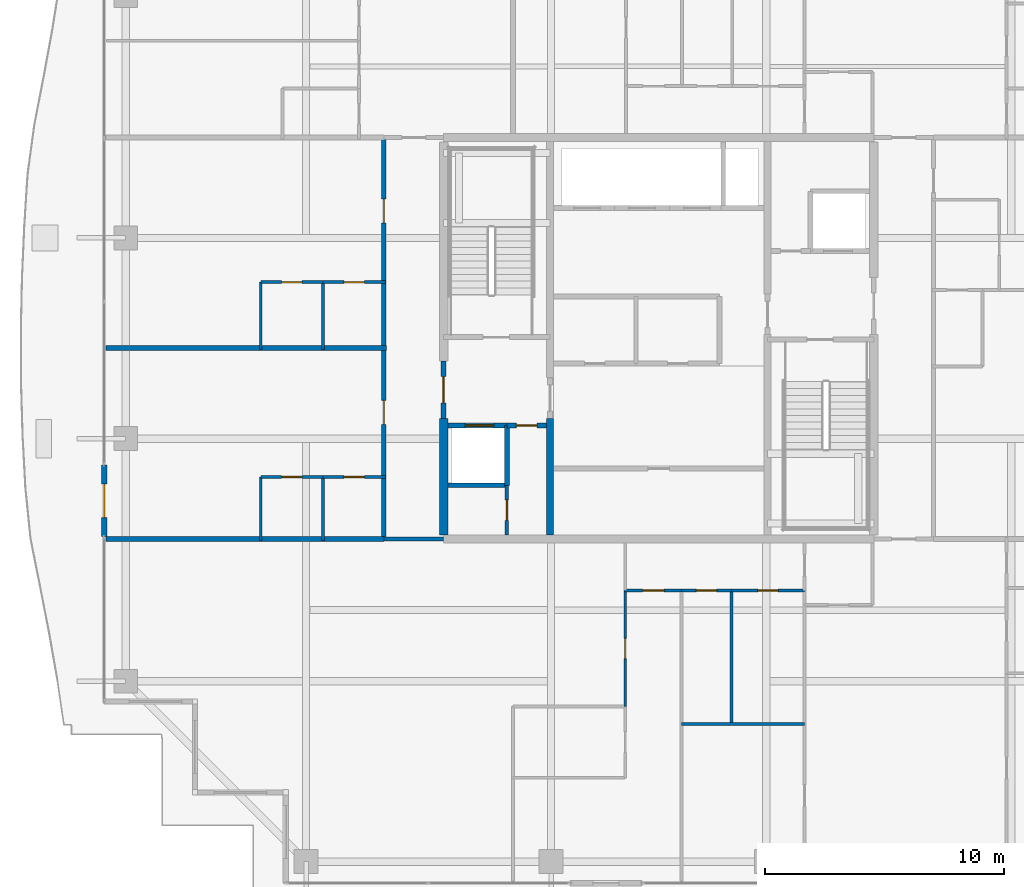
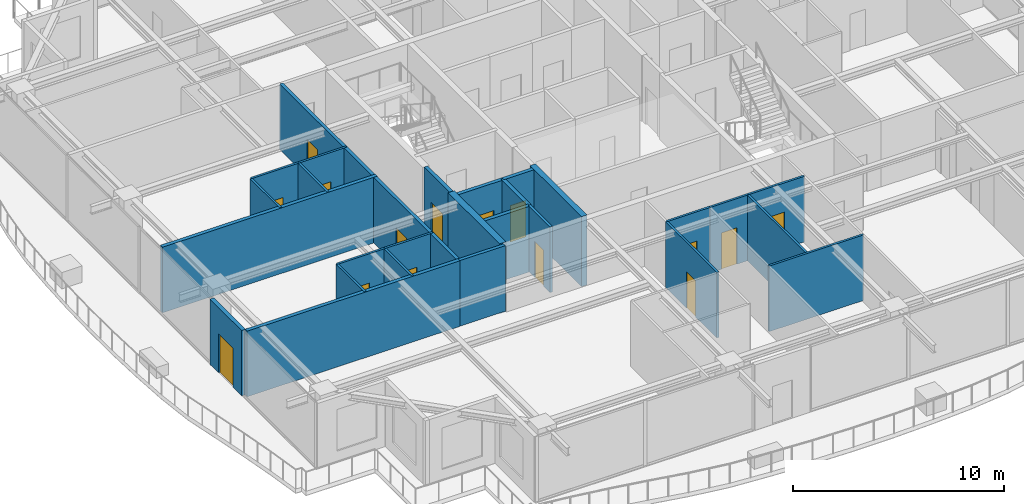
# One storey, part 26 of 37: 27 walls, 15 doors, 15 openings.
"""IFC4 building model written with IfcOpenShell, lengths in metres."""

from ifc_helpers import new_model, si_unit, direction, frame, frame_2d, origin, place, context, subcontext, project, spatial, rectangle, extrude, source, transform, mapped, material, layer, layer_set, type_object, element, fill, save


model = new_model("IFC4")

# Units and contexts
model_context = context("Model", 3, precision=1e-05, world=origin(), true_north=direction((0.0, 1.0)))
body_context = subcontext(model_context, "Body", "Model", "MODEL_VIEW")
ifc_project = project(units=[si_unit("LENGTHUNIT", "METRE"), si_unit("AREAUNIT", "SQUARE_METRE"), si_unit("VOLUMEUNIT", "CUBIC_METRE"), si_unit("PLANEANGLEUNIT", "RADIAN"), si_unit("MASSUNIT", "GRAM", prefix="KILO")], contexts=[model_context])

# Site, building, storey
site_placement = place(None, origin())
site = spatial("IfcSite", under=ifc_project, at=site_placement, CompositionType="ELEMENT")
building_placement = place(site_placement, origin())
building = spatial("IfcBuilding", under=site, at=building_placement, Name="Serunith Strait Residences", CompositionType="ELEMENT")
storey_placement = place(building_placement, frame((0.0, 0.0, 305.60009765625)))
storey = spatial("IfcBuildingStorey", under=building, at=storey_placement, Name="L76", CompositionType="ELEMENT", Elevation=305.60009765625)

# Wall, opening, door
ifc_material_1 = material(Name="Pale-Champagne Aluminium Insulated Panel", Category="aluminium")
ifc_layer_1 = layer(ifc_material_1, 0.219970703125, Name="Pale-Champagne Aluminium Insulated Panel")
ifc_layer_set_1 = layer_set([ifc_layer_1], Name="Pale-Champagne Aluminium Insulated Panel")
wall_type_1 = type_object("IfcWallType", Name="EW-ALUM-220", PredefinedType="ELEMENTEDWALL", material=ifc_layer_set_1)
wall_1_placement = place(storey_placement, frame((9.199951171875, 19.89990234375, 0.0), z_axis=(0.0, 0.0, 1.0), x_axis=(0.0, -1.0, 0.0)))
wall_1 = element("IfcWall", 1, at=wall_1_placement, inside=storey, type_object=wall_type_1, Name="L76 W Facade Pier Wall", PredefinedType="ELEMENTEDWALL", context=body_context, shape_type="SweptSolid", body=[
    extrude(rectangle(XDim=3.0, YDim=0.219970703125, at=frame_2d((1.5, 0.0))), origin(), (0.0, 0.0, 1.0), 3.77490234375),
])
opening_1_placement = place(wall_1_placement, frame((0.800048828125, 0.0, 0.0)))
opening_1 = element("IfcOpeningElement", 2, at=opening_1_placement, cuts=wall_1, Name="Opening ED-04", PredefinedType="OPENING", context=body_context, shape_type="SweptSolid", body=[
    extrude(rectangle(XDim=1.39990234375, YDim=2.25, at=frame_2d((0.699951171875, 1.125))), frame((0.0, 0.1201171875, 0.0), z_axis=(0.0, -1.0, 0.0), x_axis=(1.0, 0.0, 0.0)), (0.0, 0.0, 1.0), 0.239990234375),
])
ifc_material_2 = material(Name="Thermally-Broken Aluminium Sliding Balcony Door", Category="aluminium")
door_type_1 = type_object("IfcDoorType", Name="ED-BALC-1400", OperationType="NOTDEFINED", PredefinedType="DOOR", material=ifc_material_2)
shared_shape_1 = source(origin(), body_context, "Body", "SweptSolid", [
    extrude(rectangle(XDim=1.39990234375, YDim=2.25, at=frame_2d((0.699951171875, 1.125))), frame((0.0, 0.02490234375, 0.0), z_axis=(0.0, -1.0, 0.0), x_axis=(1.0, 0.0, 0.0)), (0.0, 0.0, 1.0), 0.050048828125),
])
door_1_placement = place(opening_1_placement, origin())
door_1 = element("IfcDoor", 3, at=door_1_placement, inside=storey, type_object=door_type_1, Name="L76 W Vertical-Forest Balcony Door", OperationType="SLIDING_TO_LEFT", OverallHeight=2.25, OverallWidth=1.39990234375, PredefinedType="DOOR", context=body_context, shape_type="MappedRepresentation", body=[
    mapped(shared_shape_1, transform((0.0, 0.0, 0.0), scale=1.0)),
])
fill(opening_1, door_1)

ifc_material_3 = material(Name="Fire-rated masonry service closet wall", Category="masonry")
ifc_layer_2 = layer(ifc_material_3, 0.14990234375, Name="Fire-rated masonry service closet wall")
ifc_layer_set_2 = layer_set([ifc_layer_2], Name="Fire-rated masonry service closet wall")
wall_type_2 = type_object("IfcWallType", Name="IW-BOH-150", PredefinedType="PARTITIONING", material=ifc_layer_set_2)
wall_2_placement = place(storey_placement, frame((26.050048828125, 16.97509765625, 0.0), z_axis=(0.0, 0.0, 1.0), x_axis=(0.0, 1.0, 0.0)))
wall_2 = element("IfcWall", 4, at=wall_2_placement, inside=storey, type_object=wall_type_2, Name="L76 Partition Wall 011", PredefinedType="PARTITIONING", context=body_context, shape_type="SweptSolid", body=[
    extrude(rectangle(XDim=2.072998046875, YDim=0.14990234375, at=frame_2d((1.03662109375, 0.0))), origin(), (0.0, 0.0, 1.0), 3.789794921875),
])
opening_2_placement = place(wall_2_placement, frame((0.611083984375, 0.0, 0.0)))
opening_2 = element("IfcOpeningElement", 5, at=opening_2_placement, cuts=wall_2, Name="Opening FD-850", PredefinedType="OPENING", context=body_context, shape_type="SweptSolid", body=[
    extrude(rectangle(XDim=0.85009765625, YDim=2.10009765625, at=frame_2d((0.425048828125, 1.050048828125))), frame((0.0, 0.0849609375, 0.0), z_axis=(0.0, -1.0, 0.0), x_axis=(1.0, 0.0, 0.0)), (0.0, 0.0, 1.0), 0.169921875),
])
ifc_material_4 = material(Name="Powder-coated steel service closet door", Category="steel")
door_type_2 = type_object("IfcDoorType", Name="FD-BOH-850", OperationType="NOTDEFINED", PredefinedType="DOOR", material=ifc_material_4)
shared_shape_2 = source(origin(), body_context, "Body", "SweptSolid", [
    extrude(rectangle(XDim=0.85009765625, YDim=2.10009765625, at=frame_2d((0.425048828125, 1.050048828125))), frame((0.0, 0.02490234375, 0.0), z_axis=(0.0, -1.0, 0.0), x_axis=(1.0, 0.0, 0.0)), (0.0, 0.0, 1.0), 0.050048828125),
])
door_2_placement = place(opening_2_placement, origin())
door_2 = element("IfcDoor", 6, at=door_2_placement, inside=storey, type_object=door_type_2, Name="L76 Cleaner Store Door", OperationType="SINGLE_SWING_RIGHT", OverallHeight=2.10009765625, OverallWidth=0.85009765625, PredefinedType="DOOR", context=body_context, shape_type="MappedRepresentation", body=[
    mapped(shared_shape_2, transform((0.0, 0.0, 0.0), scale=1.0)),
])
fill(opening_2, door_2)

# Wall
ifc_material_5 = material(Name="Fire-rated acoustic gypsum partition")
ifc_layer_3 = layer(ifc_material_5, 0.179931640625, Name="Fire-rated acoustic gypsum partition")
ifc_layer_set_3 = layer_set([ifc_layer_3], Name="Fire-rated acoustic gypsum partition")
wall_type_3 = type_object("IfcWallType", Name="IW-CORR-180", PredefinedType="PARTITIONING", material=ifc_layer_set_3)
wall_3_placement = place(storey_placement, frame((20.902099609375, 16.800048828125, 0.0), z_axis=(0.0, 0.0, 1.0), x_axis=(1.0, 0.0, 0.0)))
element("IfcWall", 7, at=wall_3_placement, inside=storey, type_object=wall_type_3, Name="L76 Partition Wall 024", PredefinedType="PARTITIONING", context=body_context, shape_type="SweptSolid", body=[
    extrude(rectangle(XDim=2.495849609375, YDim=0.179931640625, at=frame_2d((1.248046875, 0.0))), origin(), (0.0, 0.0, 1.0), 3.789794921875),
])

# Wall, openings, doors
wall_4_placement = place(storey_placement, frame((20.89990234375, 16.800048828125, 0.0), z_axis=(0.0, 0.0, 1.0), x_axis=(0.0, 1.0, 0.0)))
wall_4 = element("IfcWall", 8, at=wall_4_placement, inside=storey, type_object=wall_type_3, Name="L76 Partition Wall 026", PredefinedType="PARTITIONING", context=body_context, shape_type="SweptSolid", body=[
    extrude(rectangle(XDim=16.800048828125, YDim=0.179931640625, at=frame_2d((8.39990234375, 0.0))), origin(), (0.0, 0.0, 1.0), 3.789794921875),
])
opening_3_placement = place(wall_4_placement, frame((4.802978515625, 0.0, 0.0)))
opening_3 = element("IfcOpeningElement", 9, at=opening_3_placement, cuts=wall_4, Name="Opening D-APT1000", PredefinedType="OPENING", context=body_context, shape_type="SweptSolid", body=[
    extrude(rectangle(XDim=1.0, YDim=2.14990234375, at=frame_2d((0.5, 1.074951171875))), frame((0.0, 0.10009765625, 0.0), z_axis=(0.0, -1.0, 0.0), x_axis=(1.0, 0.0, 0.0)), (0.0, 0.0, 1.0), 0.199951171875),
])
opening_4_placement = place(wall_4_placement, frame((13.22509765625, 0.0, 0.0)))
opening_4 = element("IfcOpeningElement", 10, at=opening_4_placement, cuts=wall_4, Name="Opening D-APT1000", PredefinedType="OPENING", context=body_context, shape_type="SweptSolid", body=[
    extrude(rectangle(XDim=1.0, YDim=2.14990234375, at=frame_2d((0.5, 1.074951171875))), frame((0.0, 0.10009765625, 0.0), z_axis=(0.0, -1.0, 0.0), x_axis=(1.0, 0.0, 0.0)), (0.0, 0.0, 1.0), 0.199951171875),
])
ifc_material_6 = material(Name="Solid timber engineered fire door", Category="wood")
door_type_3 = type_object("IfcDoorType", Name="ID-APT-1000", OperationType="NOTDEFINED", PredefinedType="DOOR", material=ifc_material_6)
shared_shape_3 = source(origin(), body_context, "Body", "SweptSolid", [
    extrude(rectangle(XDim=1.0, YDim=2.14990234375, at=frame_2d((0.5, 1.074951171875))), frame((0.0, 0.02490234375, 0.0), z_axis=(0.0, -1.0, 0.0), x_axis=(1.0, 0.0, 0.0)), (0.0, 0.0, 1.0), 0.050048828125),
])
door_3_placement = place(opening_3_placement, origin())
door_3 = element("IfcDoor", 11, at=door_3_placement, inside=storey, type_object=door_type_3, Name="L76 Unit 04 Entrance Door", OperationType="SINGLE_SWING_LEFT", OverallHeight=2.14990234375, OverallWidth=1.0, PredefinedType="DOOR", context=body_context, shape_type="MappedRepresentation", body=[
    mapped(shared_shape_3, transform((0.0, 0.0, 0.0), scale=1.0)),
])
fill(opening_3, door_3)
door_4_placement = place(opening_4_placement, origin())
door_4 = element("IfcDoor", 12, at=door_4_placement, inside=storey, type_object=door_type_3, Name="L76 Unit 05 Entrance Door", OperationType="SINGLE_SWING_RIGHT", OverallHeight=2.14990234375, OverallWidth=1.0, PredefinedType="DOOR", context=body_context, shape_type="MappedRepresentation", body=[
    mapped(shared_shape_3, transform((0.0, 0.0, 0.0), scale=1.0)),
])
fill(opening_4, door_4)

# Walls
ifc_material_7 = material(Name="Lightweight steel-stud gypsum partition", Category="steel")
ifc_layer_4 = layer(ifc_material_7, 0.1201171875, Name="Lightweight steel-stud gypsum partition")
ifc_layer_set_4 = layer_set([ifc_layer_4], Name="Lightweight steel-stud gypsum partition")
wall_type_4 = type_object("IfcWallType", Name="IW-PART-120", PredefinedType="PARTITIONING", material=ifc_layer_set_4)
wall_5_placement = place(storey_placement, frame((33.35009765625, 9.06298828125, 0.0), z_axis=(0.0, 0.0, 1.0), x_axis=(1.0, 0.0, 0.0)))
element("IfcWall", 13, at=wall_5_placement, inside=storey, type_object=wall_type_4, Name="L76 Partition Wall 035", PredefinedType="PARTITIONING", context=body_context, shape_type="SweptSolid", body=[
    extrude(rectangle(XDim=5.14990234375, YDim=0.1201171875, at=frame_2d((2.574951171875, 0.0))), origin(), (0.0, 0.0, 1.0), 3.789794921875),
])
wall_6_placement = place(storey_placement, frame((35.449951171875, 9.06298828125, 0.0), z_axis=(0.0, 0.0, 1.0), x_axis=(0.0, 1.0, 0.0)))
element("IfcWall", 14, at=wall_6_placement, inside=storey, type_object=wall_type_4, Name="L76 Partition Wall 037", PredefinedType="PARTITIONING", context=body_context, shape_type="SweptSolid", body=[
    extrude(rectangle(XDim=5.5869140625, YDim=0.1201171875, at=frame_2d((2.79345703125, 0.0))), origin(), (0.0, 0.0, 1.0), 3.789794921875),
])

# Wall, opening, door
wall_7_placement = place(storey_placement, frame((33.35009765625, 14.64990234375, 0.0), z_axis=(0.0, 0.0, 1.0), x_axis=(1.0, 0.0, 0.0)))
wall_7 = element("IfcWall", 15, at=wall_7_placement, inside=storey, type_object=wall_type_4, Name="L76 Partition Wall 038", PredefinedType="PARTITIONING", context=body_context, shape_type="SweptSolid", body=[
    extrude(rectangle(XDim=2.099853515625, YDim=0.1201171875, at=frame_2d((1.0498046875, 0.0))), origin(), (0.0, 0.0, 1.0), 3.789794921875),
])
opening_5_placement = place(wall_7_placement, frame((0.625, 0.0, 0.0)))
opening_5 = element("IfcOpeningElement", 16, at=opening_5_placement, cuts=wall_7, Name="Opening D-BTH850", PredefinedType="OPENING", context=body_context, shape_type="SweptSolid", body=[
    extrude(rectangle(XDim=0.85009765625, YDim=2.10009765625, at=frame_2d((0.425048828125, 1.050048828125))), frame((0.0, 0.070068359375, 0.0), z_axis=(0.0, -1.0, 0.0), x_axis=(1.0, 0.0, 0.0)), (0.0, 0.0, 1.0), 0.14013671875),
])
ifc_material_8 = material(Name="Moisture-resistant timber bathroom door", Category="wood")
door_type_4 = type_object("IfcDoorType", Name="ID-BATH-850", OperationType="NOTDEFINED", PredefinedType="DOOR", material=ifc_material_8)
door_5_placement = place(opening_5_placement, origin())
door_5 = element("IfcDoor", 17, at=door_5_placement, inside=storey, type_object=door_type_4, Name="L76 Bathroom 7601 Door", OperationType="SINGLE_SWING_LEFT", OverallHeight=2.10009765625, OverallWidth=0.85009765625, PredefinedType="DOOR", context=body_context, shape_type="MappedRepresentation", body=[
    mapped(shared_shape_2, transform((0.0, 0.0, 0.0), scale=1.0)),
])
fill(opening_5, door_5)

wall_8_placement = place(storey_placement, frame((35.451904296875, 14.64990234375, 0.0), z_axis=(0.0, 0.0, 1.0), x_axis=(1.0, 0.0, 0.0)))
wall_8 = element("IfcWall", 18, at=wall_8_placement, inside=storey, type_object=wall_type_4, Name="L76 Partition Wall 039", PredefinedType="PARTITIONING", context=body_context, shape_type="SweptSolid", body=[
    extrude(rectangle(XDim=3.048095703125, YDim=0.1201171875, at=frame_2d((1.52392578125, 0.0))), origin(), (0.0, 0.0, 1.0), 3.789794921875),
])
opening_6_placement = place(wall_8_placement, frame((1.09912109375, 0.0, 0.0)))
opening_6 = element("IfcOpeningElement", 19, at=opening_6_placement, cuts=wall_8, Name="Opening D-RM850", PredefinedType="OPENING", context=body_context, shape_type="SweptSolid", body=[
    extrude(rectangle(XDim=0.85009765625, YDim=2.10009765625, at=frame_2d((0.425048828125, 1.050048828125))), frame((0.0, 0.070068359375, 0.0), z_axis=(0.0, -1.0, 0.0), x_axis=(1.0, 0.0, 0.0)), (0.0, 0.0, 1.0), 0.14013671875),
])
ifc_material_9 = material(Name="Engineered timber flush study and kitchen door", Category="wood")
door_type_5 = type_object("IfcDoorType", Name="ID-ROOM-850", OperationType="NOTDEFINED", PredefinedType="DOOR", material=ifc_material_9)
door_6_placement = place(opening_6_placement, origin())
door_6 = element("IfcDoor", 20, at=door_6_placement, inside=storey, type_object=door_type_5, Name="L76 Formal Dining Room 7601 Door", OperationType="SINGLE_SWING_RIGHT", OverallHeight=2.10009765625, OverallWidth=0.85009765625, PredefinedType="DOOR", context=body_context, shape_type="MappedRepresentation", body=[
    mapped(shared_shape_2, transform((0.0, 0.0, 0.0), scale=1.0)),
])
fill(opening_6, door_6)

wall_9_placement = place(storey_placement, frame((31.0, 14.64990234375, 0.0), z_axis=(0.0, 0.0, 1.0), x_axis=(1.0, 0.0, 0.0)))
wall_9 = element("IfcWall", 21, at=wall_9_placement, inside=storey, type_object=wall_type_4, Name="L76 Partition Wall 040", PredefinedType="PARTITIONING", context=body_context, shape_type="SweptSolid", body=[
    extrude(rectangle(XDim=2.347900390625, YDim=0.1201171875, at=frame_2d((1.173828125, 0.0))), origin(), (0.0, 0.0, 1.0), 3.789794921875),
])
opening_7_placement = place(wall_9_placement, frame((0.72412109375, 0.0, 0.0)))
opening_7 = element("IfcOpeningElement", 22, at=opening_7_placement, cuts=wall_9, Name="Opening D-RM900", PredefinedType="OPENING", context=body_context, shape_type="SweptSolid", body=[
    extrude(rectangle(XDim=0.89990234375, YDim=2.10009765625, at=frame_2d((0.449951171875, 1.050048828125))), frame((0.0, 0.070068359375, 0.0), z_axis=(0.0, -1.0, 0.0), x_axis=(1.0, 0.0, 0.0)), (0.0, 0.0, 1.0), 0.14013671875),
])
ifc_material_10 = material(Name="Engineered timber flush bedroom door", Category="wood")
door_type_6 = type_object("IfcDoorType", Name="ID-ROOM-900", OperationType="NOTDEFINED", PredefinedType="DOOR", material=ifc_material_10)
shared_shape_4 = source(origin(), body_context, "Body", "SweptSolid", [
    extrude(rectangle(XDim=0.89990234375, YDim=2.10009765625, at=frame_2d((0.449951171875, 1.050048828125))), frame((0.0, 0.02490234375, 0.0), z_axis=(0.0, -1.0, 0.0), x_axis=(1.0, 0.0, 0.0)), (0.0, 0.0, 1.0), 0.050048828125),
])
door_7_placement = place(opening_7_placement, origin())
door_7 = element("IfcDoor", 23, at=door_7_placement, inside=storey, type_object=door_type_6, Name="L76 Master Bedroom W 7601 Door", OperationType="SINGLE_SWING_LEFT", OverallHeight=2.10009765625, OverallWidth=0.89990234375, PredefinedType="DOOR", context=body_context, shape_type="MappedRepresentation", body=[
    mapped(shared_shape_4, transform((0.0, 0.0, 0.0), scale=1.0)),
])
fill(opening_7, door_7)

wall_10_placement = place(storey_placement, frame((31.0, 9.79296875, 0.0), z_axis=(0.0, 0.0, 1.0), x_axis=(0.0, 1.0, 0.0)))
wall_10 = element("IfcWall", 24, at=wall_10_placement, inside=storey, type_object=wall_type_4, Name="L76 Partition Wall 045", PredefinedType="PARTITIONING", context=body_context, shape_type="SweptSolid", body=[
    extrude(rectangle(XDim=4.85693359375, YDim=0.1201171875, at=frame_2d((2.428466796875, 0.0))), origin(), (0.0, 0.0, 1.0), 3.789794921875),
])
opening_8_placement = place(wall_10_placement, frame((2.00390625, 0.0, 0.0)))
opening_8 = element("IfcOpeningElement", 25, at=opening_8_placement, cuts=wall_10, Name="Opening D-RM850", PredefinedType="OPENING", context=body_context, shape_type="SweptSolid", body=[
    extrude(rectangle(XDim=0.85009765625, YDim=2.10009765625, at=frame_2d((0.425048828125, 1.050048828125))), frame((0.0, 0.070068359375, 0.0), z_axis=(0.0, -1.0, 0.0), x_axis=(1.0, 0.0, 0.0)), (0.0, 0.0, 1.0), 0.14013671875),
])
door_8_placement = place(opening_8_placement, origin())
door_8 = element("IfcDoor", 26, at=door_8_placement, inside=storey, type_object=door_type_5, Name="L76 Wardrobe W 7601 Door", OperationType="SINGLE_SWING_LEFT", OverallHeight=2.10009765625, OverallWidth=0.85009765625, PredefinedType="DOOR", context=body_context, shape_type="MappedRepresentation", body=[
    mapped(shared_shape_2, transform((0.0, 0.0, 0.0), scale=1.0)),
])
fill(opening_8, door_8)

wall_11_placement = place(storey_placement, frame((15.75, 19.39990234375, 0.0), z_axis=(0.0, 0.0, 1.0), x_axis=(1.0, 0.0, 0.0)))
wall_11 = element("IfcWall", 27, at=wall_11_placement, inside=storey, type_object=wall_type_4, Name="L76 Partition Wall 081", PredefinedType="PARTITIONING", context=body_context, shape_type="SweptSolid", body=[
    extrude(rectangle(XDim=2.60009765625, YDim=0.1201171875, at=frame_2d((1.300048828125, 0.0))), origin(), (0.0, 0.0, 1.0), 3.789794921875),
])
opening_9_placement = place(wall_11_placement, frame((0.875, 0.0, 0.0)))
opening_9 = element("IfcOpeningElement", 28, at=opening_9_placement, cuts=wall_11, Name="Opening D-RM850", PredefinedType="OPENING", context=body_context, shape_type="SweptSolid", body=[
    extrude(rectangle(XDim=0.85009765625, YDim=2.10009765625, at=frame_2d((0.425048828125, 1.050048828125))), frame((0.0, 0.070068359375, 0.0), z_axis=(0.0, -1.0, 0.0), x_axis=(1.0, 0.0, 0.0)), (0.0, 0.0, 1.0), 0.14013671875),
])
door_9_placement = place(opening_9_placement, origin())
door_9 = element("IfcDoor", 29, at=door_9_placement, inside=storey, type_object=door_type_5, Name="L76 Kitchen 7604 Door", OperationType="SINGLE_SWING_RIGHT", OverallHeight=2.10009765625, OverallWidth=0.85009765625, PredefinedType="DOOR", context=body_context, shape_type="MappedRepresentation", body=[
    mapped(shared_shape_2, transform((0.0, 0.0, 0.0), scale=1.0)),
])
fill(opening_9, door_9)

wall_12_placement = place(storey_placement, frame((18.35205078125, 19.39990234375, 0.0), z_axis=(0.0, 0.0, 1.0), x_axis=(1.0, 0.0, 0.0)))
wall_12 = element("IfcWall", 30, at=wall_12_placement, inside=storey, type_object=wall_type_4, Name="L76 Partition Wall 082", PredefinedType="PARTITIONING", context=body_context, shape_type="SweptSolid", body=[
    extrude(rectangle(XDim=2.60791015625, YDim=0.1201171875, at=frame_2d((1.303955078125, 0.0))), origin(), (0.0, 0.0, 1.0), 3.789794921875),
])
opening_10_placement = place(wall_12_placement, frame((0.87890625, 0.0, 0.0)))
opening_10 = element("IfcOpeningElement", 31, at=opening_10_placement, cuts=wall_12, Name="Opening D-BTH850", PredefinedType="OPENING", context=body_context, shape_type="SweptSolid", body=[
    extrude(rectangle(XDim=0.85009765625, YDim=2.10009765625, at=frame_2d((0.425048828125, 1.050048828125))), frame((0.0, 0.070068359375, 0.0), z_axis=(0.0, -1.0, 0.0), x_axis=(1.0, 0.0, 0.0)), (0.0, 0.0, 1.0), 0.14013671875),
])
door_10_placement = place(opening_10_placement, origin())
door_10 = element("IfcDoor", 32, at=door_10_placement, inside=storey, type_object=door_type_4, Name="L76 Bathroom 7604 Door", OperationType="SINGLE_SWING_LEFT", OverallHeight=2.10009765625, OverallWidth=0.85009765625, PredefinedType="DOOR", context=body_context, shape_type="MappedRepresentation", body=[
    mapped(shared_shape_2, transform((0.0, 0.0, 0.0), scale=1.0)),
])
fill(opening_10, door_10)

# Walls
for number, where, z_axis, x_axis, name in (
    (33, (18.35009765625, 16.739990234375, 0.0), (0.0, 0.0, 1.0), (0.0, 1.0, 0.0), "L76 Partition Wall 083"),
    (34, (15.75, 16.739990234375, 0.0), (0.0, 0.0, 1.0), (0.0, 1.0, 0.0), "L76 Partition Wall 084"),
):
    element("IfcWall", number, at=place(storey_placement, frame(where, z_axis=z_axis, x_axis=x_axis)), inside=storey, type_object=wall_type_4, Name=name, PredefinedType="PARTITIONING", context=body_context, shape_type="SweptSolid", body=[
        extrude(rectangle(XDim=2.659912109375, YDim=0.1201171875, at=frame_2d((1.330078125, 0.0))), origin(), (0.0, 0.0, 1.0), 3.789794921875),
    ])

# Wall, opening, door
wall_13_placement = place(storey_placement, frame((15.75, 27.550048828125, 0.0), z_axis=(0.0, 0.0, 1.0), x_axis=(1.0, 0.0, 0.0)))
wall_13 = element("IfcWall", 35, at=wall_13_placement, inside=storey, type_object=wall_type_4, Name="L76 Partition Wall 085", PredefinedType="PARTITIONING", context=body_context, shape_type="SweptSolid", body=[
    extrude(rectangle(XDim=2.60009765625, YDim=0.1201171875, at=frame_2d((1.300048828125, 0.0))), origin(), (0.0, 0.0, 1.0), 3.789794921875),
])
opening_11_placement = place(wall_13_placement, frame((0.875, 0.0, 0.0)))
opening_11 = element("IfcOpeningElement", 36, at=opening_11_placement, cuts=wall_13, Name="Opening D-RM850", PredefinedType="OPENING", context=body_context, shape_type="SweptSolid", body=[
    extrude(rectangle(XDim=0.85009765625, YDim=2.10009765625, at=frame_2d((0.425048828125, 1.050048828125))), frame((0.0, 0.070068359375, 0.0), z_axis=(0.0, -1.0, 0.0), x_axis=(1.0, 0.0, 0.0)), (0.0, 0.0, 1.0), 0.14013671875),
])
door_11_placement = place(opening_11_placement, origin())
door_11 = element("IfcDoor", 37, at=door_11_placement, inside=storey, type_object=door_type_5, Name="L76 Kitchen 7605 Door", OperationType="SINGLE_SWING_RIGHT", OverallHeight=2.10009765625, OverallWidth=0.85009765625, PredefinedType="DOOR", context=body_context, shape_type="MappedRepresentation", body=[
    mapped(shared_shape_2, transform((0.0, 0.0, 0.0), scale=1.0)),
])
fill(opening_11, door_11)

wall_14_placement = place(storey_placement, frame((18.35205078125, 27.550048828125, 0.0), z_axis=(0.0, 0.0, 1.0), x_axis=(1.0, 0.0, 0.0)))
wall_14 = element("IfcWall", 38, at=wall_14_placement, inside=storey, type_object=wall_type_4, Name="L76 Partition Wall 086", PredefinedType="PARTITIONING", context=body_context, shape_type="SweptSolid", body=[
    extrude(rectangle(XDim=2.60791015625, YDim=0.1201171875, at=frame_2d((1.303955078125, 0.0))), origin(), (0.0, 0.0, 1.0), 3.789794921875),
])
opening_12_placement = place(wall_14_placement, frame((0.87890625, 0.0, 0.0)))
opening_12 = element("IfcOpeningElement", 39, at=opening_12_placement, cuts=wall_14, Name="Opening D-BTH850", PredefinedType="OPENING", context=body_context, shape_type="SweptSolid", body=[
    extrude(rectangle(XDim=0.85009765625, YDim=2.10009765625, at=frame_2d((0.425048828125, 1.050048828125))), frame((0.0, 0.070068359375, 0.0), z_axis=(0.0, -1.0, 0.0), x_axis=(1.0, 0.0, 0.0)), (0.0, 0.0, 1.0), 0.14013671875),
])
door_12_placement = place(opening_12_placement, origin())
door_12 = element("IfcDoor", 40, at=door_12_placement, inside=storey, type_object=door_type_4, Name="L76 Bathroom 7605 Door", OperationType="SINGLE_SWING_LEFT", OverallHeight=2.10009765625, OverallWidth=0.85009765625, PredefinedType="DOOR", context=body_context, shape_type="MappedRepresentation", body=[
    mapped(shared_shape_2, transform((0.0, 0.0, 0.0), scale=1.0)),
])
fill(opening_12, door_12)

# Walls
for number, where, z_axis, x_axis, name in (
    (41, (18.35009765625, 24.739990234375, 0.0), (0.0, 0.0, 1.0), (0.0, 1.0, 0.0), "L76 Partition Wall 087"),
    (42, (15.75, 24.739990234375, 0.0), (0.0, 0.0, 1.0), (0.0, 1.0, 0.0), "L76 Partition Wall 088"),
):
    element("IfcWall", number, at=place(storey_placement, frame(where, z_axis=z_axis, x_axis=x_axis)), inside=storey, type_object=wall_type_4, Name=name, PredefinedType="PARTITIONING", context=body_context, shape_type="SweptSolid", body=[
        extrude(rectangle(XDim=2.81005859375, YDim=0.1201171875, at=frame_2d((1.405029296875, 0.0))), origin(), (0.0, 0.0, 1.0), 3.789794921875),
    ])
ifc_material_11 = material(Name="Twin-stud acoustic gypsum board partition")
ifc_layer_5 = layer(ifc_material_11, 0.199951171875, Name="Twin-stud acoustic gypsum board partition")
ifc_layer_set_5 = layer_set([ifc_layer_5], Name="Twin-stud acoustic gypsum board partition")
wall_type_5 = type_object("IfcWallType", Name="IW-PARTY-200", PredefinedType="PARTITIONING", material=ifc_layer_set_5)
wall_15_placement = place(storey_placement, frame((9.281982421875, 24.800048828125, 0.0), z_axis=(0.0, 0.0, 1.0), x_axis=(1.0, 0.0, 0.0)))
element("IfcWall", 43, at=wall_15_placement, inside=storey, type_object=wall_type_5, Name="L76 Partition Wall 019", PredefinedType="PARTITIONING", context=body_context, shape_type="SweptSolid", body=[
    extrude(rectangle(XDim=11.738037109375, YDim=0.199951171875, at=frame_2d((5.869140625, 0.0))), origin(), (0.0, 0.0, 1.0), 3.789794921875),
])
wall_16_placement = place(storey_placement, frame((9.281982421875, 16.800048828125, 0.0), z_axis=(0.0, 0.0, 1.0), x_axis=(1.0, 0.0, 0.0)))
element("IfcWall", 44, at=wall_16_placement, inside=storey, type_object=wall_type_5, Name="L76 Partition Wall 020", PredefinedType="PARTITIONING", context=body_context, shape_type="SweptSolid", body=[
    extrude(rectangle(XDim=11.617919921875, YDim=0.199951171875, at=frame_2d((5.80908203125, 0.0))), origin(), (0.0, 0.0, 1.0), 3.789794921875),
])

# Wall, opening, door
ifc_material_12 = material(Name="Autoclaved aerated concrete blockwork", Category="masonry")
ifc_layer_6 = layer(ifc_material_12, 0.199951171875, Name="Autoclaved aerated concrete blockwork")
ifc_layer_set_6 = layer_set([ifc_layer_6], Name="Autoclaved aerated concrete blockwork")
wall_type_6 = type_object("IfcWallType", Name="IW-SHAFT-200", PredefinedType="STANDARD", material=ifc_layer_set_6)
wall_17_placement = place(storey_placement, frame((23.574951171875, 21.550048828125, 0.0), z_axis=(0.0, 0.0, 1.0), x_axis=(1.0, 0.0, 0.0)))
wall_17 = element("IfcWall", 45, at=wall_17_placement, inside=storey, type_object=wall_type_6, Name="L76 FL-1 North Shaft Wall", PredefinedType="STANDARD", context=body_context, shape_type="SweptSolid", body=[
    extrude(rectangle(XDim=2.47509765625, YDim=0.199951171875, at=frame_2d((1.237548828125, 0.0))), origin(), (0.0, 0.0, 1.0), 3.789794921875),
])
opening_13_placement = place(wall_17_placement, frame((0.72509765625, 0.0, 0.0)))
opening_13 = element("IfcOpeningElement", 46, at=opening_13_placement, cuts=wall_17, Name="Opening LD-FF1200", PredefinedType="OPENING", context=body_context, shape_type="SweptSolid", body=[
    extrude(rectangle(XDim=1.199951171875, YDim=2.199951171875, at=frame_2d((0.60009765625, 1.10009765625))), frame((0.0, 0.10986328125, 0.0), z_axis=(0.0, -1.0, 0.0), x_axis=(1.0, 0.0, 0.0)), (0.0, 0.0, 1.0), 0.219970703125),
])
ifc_material_13 = material(Name="Brushed stainless steel landing door", Category="steel")
door_type_7 = type_object("IfcDoorType", Name="LD-FF-1200", OperationType="DOUBLE_DOOR_SLIDING", PredefinedType="DOOR", material=ifc_material_13)
shared_shape_5 = source(origin(), body_context, "Body", "SweptSolid", [
    extrude(rectangle(XDim=1.199951171875, YDim=2.199951171875, at=frame_2d((0.60009765625, 1.10009765625))), frame((0.0, 0.02490234375, 0.0), z_axis=(0.0, -1.0, 0.0), x_axis=(1.0, 0.0, 0.0)), (0.0, 0.0, 1.0), 0.050048828125),
])
door_13_placement = place(opening_13_placement, origin())
door_13 = element("IfcDoor", 47, at=door_13_placement, inside=storey, type_object=door_type_7, Name="L76 FL-1 Landing Door", OperationType="DOUBLE_DOOR_SLIDING", OverallHeight=2.199951171875, OverallWidth=1.199951171875, PredefinedType="DOOR", context=body_context, shape_type="MappedRepresentation", body=[
    mapped(shared_shape_5, transform((0.0, 0.0, 0.0), scale=1.0)),
])
fill(opening_13, door_13)

# Walls
wall_18_placement = place(storey_placement, frame((26.050048828125, 19.050048828125, 0.0), z_axis=(0.0, 0.0, 1.0), x_axis=(0.0, 1.0, 0.0)))
element("IfcWall", 48, at=wall_18_placement, inside=storey, type_object=wall_type_6, Name="L76 Partition Wall 001", PredefinedType="STANDARD", context=body_context, shape_type="SweptSolid", body=[
    extrude(rectangle(XDim=2.5, YDim=0.199951171875, at=frame_2d((1.25, 0.0))), origin(), (0.0, 0.0, 1.0), 3.789794921875),
])
wall_19_placement = place(storey_placement, frame((23.574951171875, 19.050048828125, 0.0), z_axis=(0.0, 0.0, 1.0), x_axis=(1.0, 0.0, 0.0)))
element("IfcWall", 49, at=wall_19_placement, inside=storey, type_object=wall_type_6, Name="L76 Partition Wall 002", PredefinedType="STANDARD", context=body_context, shape_type="SweptSolid", body=[
    extrude(rectangle(XDim=2.47509765625, YDim=0.199951171875, at=frame_2d((1.237548828125, 0.0))), origin(), (0.0, 0.0, 1.0), 3.789794921875),
])

# Wall, opening, door
wall_20_placement = place(storey_placement, frame((26.052001953125, 21.550048828125, 0.0), z_axis=(0.0, 0.0, 1.0), x_axis=(1.0, 0.0, 0.0)))
wall_20 = element("IfcWall", 50, at=wall_20_placement, inside=storey, type_object=wall_type_6, Name="L76 Partition Wall 003", PredefinedType="STANDARD", context=body_context, shape_type="SweptSolid", body=[
    extrude(rectangle(XDim=1.64794921875, YDim=0.199951171875, at=frame_2d((0.823974609375, 0.0))), origin(), (0.0, 0.0, 1.0), 3.789794921875),
])
opening_14_placement = place(wall_20_placement, frame((0.39892578125, 0.0, 0.0)))
opening_14 = element("IfcOpeningElement", 51, at=opening_14_placement, cuts=wall_20, Name="Opening FD-850", PredefinedType="OPENING", context=body_context, shape_type="SweptSolid", body=[
    extrude(rectangle(XDim=0.85009765625, YDim=2.10009765625, at=frame_2d((0.425048828125, 1.050048828125))), frame((0.0, 0.10986328125, 0.0), z_axis=(0.0, -1.0, 0.0), x_axis=(1.0, 0.0, 0.0)), (0.0, 0.0, 1.0), 0.219970703125),
])
door_14_placement = place(opening_14_placement, origin())
door_14 = element("IfcDoor", 52, at=door_14_placement, inside=storey, type_object=door_type_2, Name="L76 South-West Core Service Door", OperationType="SINGLE_SWING_RIGHT", OverallHeight=2.10009765625, OverallWidth=0.85009765625, PredefinedType="DOOR", context=body_context, shape_type="MappedRepresentation", body=[
    mapped(shared_shape_2, transform((0.0, 0.0, 0.0), scale=1.0)),
])
fill(opening_14, door_14)

wall_21_placement = place(storey_placement, frame((23.39990234375, 21.85205078125, 0.0), z_axis=(0.0, 0.0, 1.0), x_axis=(0.0, 1.0, 0.0)))
wall_21 = element("IfcWall", 53, at=wall_21_placement, inside=storey, type_object=wall_type_6, Name="L76 Partition Wall 007", PredefinedType="STANDARD", context=body_context, shape_type="SweptSolid", body=[
    extrude(rectangle(XDim=2.39599609375, YDim=0.199951171875, at=frame_2d((1.197998046875, 0.0))), origin(), (0.0, 0.0, 1.0), 3.789794921875),
])
opening_15_placement = place(wall_21_placement, frame((0.64794921875, 0.0, 0.0)))
opening_15 = element("IfcOpeningElement", 54, at=opening_15_placement, cuts=wall_21, Name="Opening FD-FFL", PredefinedType="OPENING", context=body_context, shape_type="SweptSolid", body=[
    extrude(rectangle(XDim=1.10009765625, YDim=2.14990234375, at=frame_2d((0.550048828125, 1.074951171875))), frame((0.0, 0.10986328125, 0.0), z_axis=(0.0, -1.0, 0.0), x_axis=(1.0, 0.0, 0.0)), (0.0, 0.0, 1.0), 0.219970703125),
])
ifc_material_14 = material(Name="Glazed steel smoke-lobby fire door", Category="steel")
door_type_8 = type_object("IfcDoorType", Name="FD-FFL-1100", OperationType="NOTDEFINED", PredefinedType="DOOR", material=ifc_material_14)
shared_shape_6 = source(origin(), body_context, "Body", "SweptSolid", [
    extrude(rectangle(XDim=1.10009765625, YDim=2.14990234375, at=frame_2d((0.550048828125, 1.074951171875))), frame((0.0, 0.02490234375, 0.0), z_axis=(0.0, -1.0, 0.0), x_axis=(1.0, 0.0, 0.0)), (0.0, 0.0, 1.0), 0.050048828125),
])
door_15_placement = place(opening_15_placement, origin())
door_15 = element("IfcDoor", 55, at=door_15_placement, inside=storey, type_object=door_type_8, Name="L76 FFL-1 Corridor Fire Door", OperationType="SINGLE_SWING_RIGHT", OverallHeight=2.14990234375, OverallWidth=1.10009765625, PredefinedType="DOOR", context=body_context, shape_type="MappedRepresentation", body=[
    mapped(shared_shape_6, transform((0.0, 0.0, 0.0), scale=1.0)),
])
fill(opening_15, door_15)

# Walls
ifc_material_15 = material(Name="Concrete C60/75", Category="concrete")
ifc_layer_7 = layer(ifc_material_15, 0.300048828125, Name="Concrete C60/75")
ifc_layer_set_7 = layer_set([ifc_layer_7], Name="Concrete C60/75")
wall_type_7 = type_object("IfcWallType", Name="SW-300-C60", PredefinedType="SHEAR", material=ifc_layer_set_7)
wall_22_placement = place(storey_placement, frame((27.85009765625, 16.97509765625, -0.260009765625), z_axis=(0.0, 0.0, 1.0), x_axis=(0.0, 1.0, 0.0)))
element("IfcWall", 56, at=wall_22_placement, inside=storey, type_object=wall_type_7, Name="L76 Core Internal West Web South Pier", PredefinedType="SHEAR", context=body_context, shape_type="SweptSolid", body=[
    extrude(rectangle(XDim=4.875, YDim=0.300048828125, at=frame_2d((2.4375, 0.0))), origin(), (0.0, 0.0, 1.0), 4.0478515625),
])
ifc_layer_8 = layer(ifc_material_15, 0.35009765625, Name="Concrete C60/75")
ifc_layer_set_8 = layer_set([ifc_layer_8], Name="Concrete C60/75")
wall_type_8 = type_object("IfcWallType", Name="SW-350-C60", PredefinedType="SHEAR", material=ifc_layer_set_8)
wall_23_placement = place(storey_placement, frame((23.39990234375, 16.97509765625, -0.260009765625), z_axis=(0.0, 0.0, 1.0), x_axis=(0.0, 1.0, 0.0)))
element("IfcWall", 57, at=wall_23_placement, inside=storey, type_object=wall_type_8, Name="L76 Core West Shear Wall South Pier", PredefinedType="SHEAR", context=body_context, shape_type="SweptSolid", body=[
    extrude(rectangle(XDim=4.875, YDim=0.35009765625, at=frame_2d((2.4375, 0.0))), origin(), (0.0, 0.0, 1.0), 4.0478515625),
])

save(model, "model.ifc")
